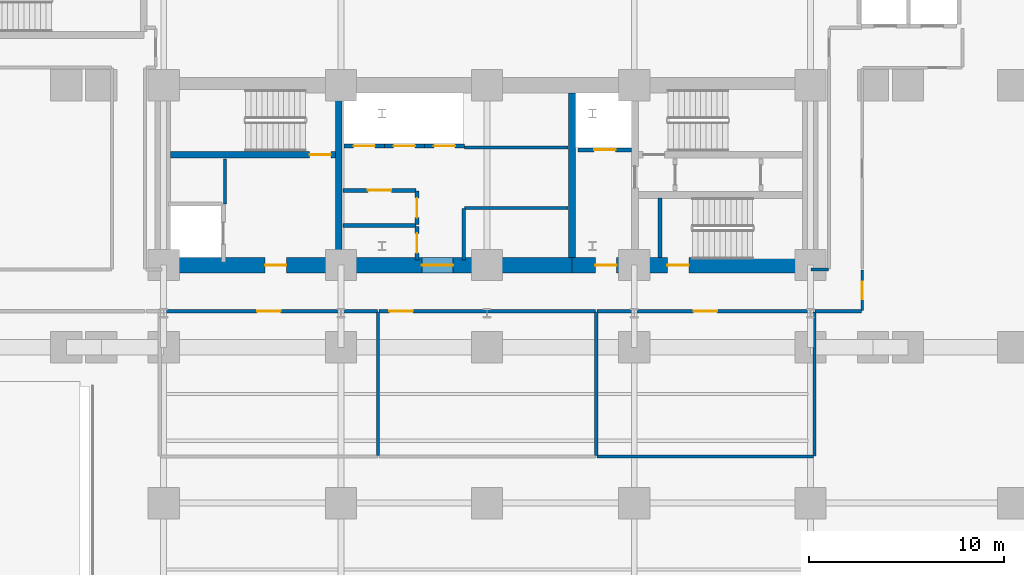
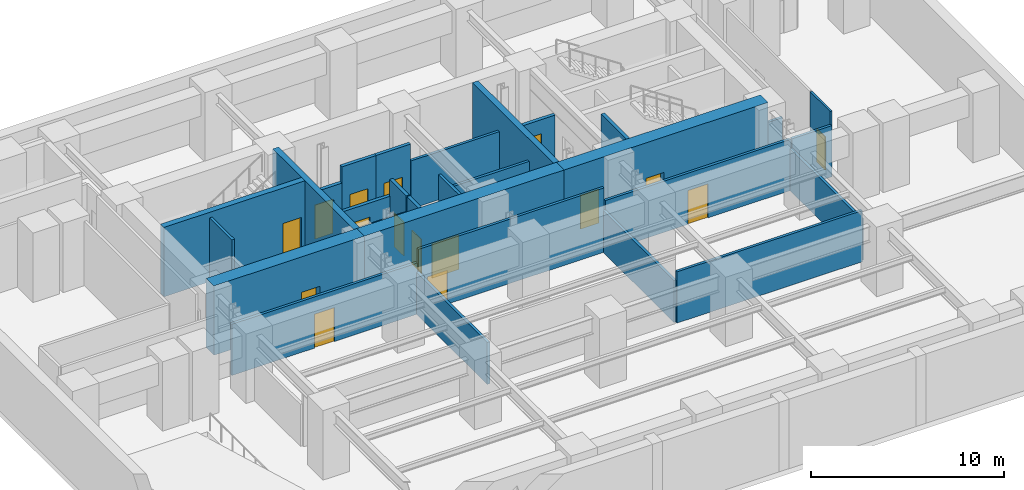
# One storey, part 3 of 9: 29 walls, 16 doors, 16 openings.
"""IFC4 building model written with IfcOpenShell, lengths in metres."""

from ifc_helpers import new_model, si_unit, direction, frame, frame_2d, origin, place, context, subcontext, project, spatial, rectangle, extrude, material, layer, layer_set, type_object, element, fill, save


model = new_model("IFC4")

# Units and contexts
model_context = context("Model", 3, precision=1e-05, world=origin(), true_north=direction((0.0, 1.0)))
body_context = subcontext(model_context, "Body", "Model", "MODEL_VIEW")
ifc_project = project(units=[si_unit("LENGTHUNIT", "METRE"), si_unit("AREAUNIT", "SQUARE_METRE"), si_unit("VOLUMEUNIT", "CUBIC_METRE"), si_unit("PLANEANGLEUNIT", "RADIAN"), si_unit("MASSUNIT", "GRAM", prefix="KILO")], contexts=[model_context])

# Site, building, storey
site_placement = place(None, origin())
site = spatial("IfcSite", under=ifc_project, at=site_placement, CompositionType="ELEMENT")
building_placement = place(site_placement, origin())
building = spatial("IfcBuilding", under=site, at=building_placement, Name="Zarnavel Station Tower", CompositionType="ELEMENT")
storey_placement = place(building_placement, frame((0.0, 0.0, -8.800048828125)))
storey = spatial("IfcBuildingStorey", under=building, at=storey_placement, Name="B02", CompositionType="ELEMENT", Elevation=-8.800048828125)

# Walls
ifc_material_1 = material(Name="Concrete C50/60", Category="concrete")
ifc_layer_1 = layer(ifc_material_1, 0.35009765625)
ifc_layer_set_1 = layer_set([ifc_layer_1], Name="CW_350")
wall_type_1 = type_object("IfcWallType", Name="CW_350", PredefinedType="SHEAR", material=ifc_layer_set_1)
for number, where, z_axis, x_axis, name in (
    (1, (21.179931640625, 28.219970703125, 0.0), (0.0, 0.0, 1.0), (0.0, 1.0, 0.0), "B02 Rear Core Shear Wall DIV-W"),
    (2, (33.14990234375, 28.219970703125, 0.0), (0.0, 0.0, 1.0), (0.0, 1.0, 0.0), "B02 Rear Core Shear Wall DIV-E"),
):
    element("IfcWall", number, at=place(storey_placement, frame(where, z_axis=z_axis, x_axis=x_axis)), inside=storey, type_object=wall_type_1, Name=name, PredefinedType="SHEAR", context=body_context, shape_type="SweptSolid", body=[
        extrude(rectangle(XDim=8.429931640625, YDim=0.35009765625, at=frame_2d((4.21484375, 0.0))), origin(), (0.0, 0.0, 1.0), 4.400146484375),
    ])

# Wall, opening, door
wall_1_placement = place(storey_placement, frame((21.0048828125, 33.47998046875, 0.0), z_axis=(0.0, 0.0, 1.0), x_axis=(-1.0, 0.0, 0.0)))
wall_1 = element("IfcWall", 3, at=wall_1_placement, inside=storey, type_object=wall_type_1, Name="B02 Rear Core Shear Wall DIV-H1", PredefinedType="SHEAR", context=body_context, shape_type="SweptSolid", body=[
    extrude(rectangle(XDim=8.454833984375, YDim=0.35009765625, at=frame_2d((4.2275390625, 0.0))), origin(), (0.0, 0.0, 1.0), 4.400146484375),
])
opening_1_placement = place(wall_1_placement, frame((0.219970703125, 0.0, 0.0)))
opening_1 = element("IfcOpeningElement", 4, at=opening_1_placement, cuts=wall_1, Name="Opening FD01", PredefinedType="OPENING", context=body_context, shape_type="SweptSolid", body=[
    extrude(rectangle(XDim=1.10009765625, YDim=2.14990234375, at=frame_2d((0.550048828125, 1.074951171875))), frame((0.0, 0.18505859375, 0.0), z_axis=(0.0, -1.0, 0.0), x_axis=(1.0, 0.0, 0.0)), (0.0, 0.0, 1.0), 0.3701171875),
])
ifc_material_2 = material(Name="Painted Galvanised Steel and Hardwood Leaf", Category="steel")
door_type_1 = type_object("IfcDoorType", Name="ID_STAIR_1100", OperationType="NOTDEFINED", PredefinedType="DOOR", material=ifc_material_2)
door_1_placement = place(opening_1_placement, origin())
door_1 = element("IfcDoor", 5, at=door_1_placement, inside=storey, type_object=door_type_1, Name="B02 Stair ST1 Lobby Fire Door", OperationType="SINGLE_SWING_LEFT", OverallHeight=2.14990234375, OverallWidth=1.10009765625, PredefinedType="DOOR", context=body_context, shape_type="SweptSolid", body=[
    extrude(rectangle(XDim=1.10009765625, YDim=2.14990234375, at=frame_2d((0.550048828125, 1.074951171875))), frame((0.0, 0.02490234375, 0.0), z_axis=(0.0, -1.0, 0.0), x_axis=(1.0, 0.0, 0.0)), (0.0, 0.0, 1.0), 0.050048828125),
])
fill(opening_1, door_1)

ifc_material_3 = material(Name="Concrete C60/75", Category="concrete")
ifc_layer_2 = layer(ifc_material_3, 0.800048828125)
ifc_layer_set_2 = layer_set([ifc_layer_2], Name="CW_800")
wall_type_2 = type_object("IfcWallType", Name="CW_800", PredefinedType="SHEAR", material=ifc_layer_set_2)
wall_2_placement = place(storey_placement, frame((21.179931640625, 27.820068359375, 0.0), z_axis=(0.0, 0.0, 1.0), x_axis=(-1.0, 0.0, 0.0)))
wall_2 = element("IfcWall", 6, at=wall_2_placement, inside=storey, type_object=wall_type_2, Name="B02 Rear Core Shear Wall S-W", PredefinedType="SHEAR", context=body_context, shape_type="SweptSolid", body=[
    extrude(rectangle(XDim=9.030029296875, YDim=0.800048828125, at=frame_2d((4.51513671875, 0.0))), origin(), (0.0, 0.0, 1.0), 4.400146484375),
])
opening_2_placement = place(wall_2_placement, frame((2.679931640625, 0.0, 0.0)))
opening_2 = element("IfcOpeningElement", 7, at=opening_2_placement, cuts=wall_2, Name="Opening FD01", PredefinedType="OPENING", context=body_context, shape_type="SweptSolid", body=[
    extrude(rectangle(XDim=1.10009765625, YDim=2.14990234375, at=frame_2d((0.550048828125, 1.074951171875))), frame((0.0, 0.409912109375, 0.0), z_axis=(0.0, -1.0, 0.0), x_axis=(1.0, 0.0, 0.0)), (0.0, 0.0, 1.0), 0.820068359375),
])
door_2_placement = place(opening_2_placement, origin())
door_2 = element("IfcDoor", 8, at=door_2_placement, inside=storey, type_object=door_type_1, Name="B02 West Firefighting Lobby Door", OperationType="SINGLE_SWING_RIGHT", OverallHeight=2.14990234375, OverallWidth=1.10009765625, PredefinedType="DOOR", context=body_context, shape_type="SweptSolid", body=[
    extrude(rectangle(XDim=1.10009765625, YDim=2.14990234375, at=frame_2d((0.550048828125, 1.074951171875))), frame((0.0, 0.02490234375, 0.0), z_axis=(0.0, -1.0, 0.0), x_axis=(1.0, 0.0, 0.0)), (0.0, 0.0, 1.0), 0.050048828125),
])
fill(opening_2, door_2)

wall_3_placement = place(storey_placement, frame((33.14990234375, 27.820068359375, 0.0), z_axis=(0.0, 0.0, 1.0), x_axis=(-1.0, 0.0, 0.0)))
wall_3 = element("IfcWall", 9, at=wall_3_placement, inside=storey, type_object=wall_type_2, Name="B02 Rear Core Shear Wall S-M", PredefinedType="SHEAR", context=body_context, shape_type="SweptSolid", body=[
    extrude(rectangle(XDim=11.969970703125, YDim=0.800048828125, at=frame_2d((5.98486328125, 0.0))), origin(), (0.0, 0.0, 1.0), 4.400146484375),
])
opening_3_placement = place(wall_3_placement, frame((6.10009765625, 0.0, 0.0)))
opening_3 = element("IfcOpeningElement", 10, at=opening_3_placement, cuts=wall_3, Name="Opening ID03", PredefinedType="OPENING", context=body_context, shape_type="SweptSolid", body=[
    extrude(rectangle(XDim=1.60009765625, YDim=2.199951171875, at=frame_2d((0.800048828125, 1.10009765625))), frame((0.0, 0.409912109375, 0.0), z_axis=(0.0, -1.0, 0.0), x_axis=(1.0, 0.0, 0.0)), (0.0, 0.0, 1.0), 0.820068359375),
])
ifc_material_4 = material(Name="Painted Galvanised Steel and Hardwood Leaf", Category="steel")
door_type_2 = type_object("IfcDoorType", Name="ID_PUBLIC_1600", OperationType="DOUBLE_DOOR_SINGLE_SWING", PredefinedType="DOOR", material=ifc_material_4)
door_3_placement = place(opening_3_placement, origin())
door_3 = element("IfcDoor", 11, at=door_3_placement, inside=storey, type_object=door_type_2, Name="B02 Passenger Lift Lobby Double Door", OperationType="SINGLE_SWING_LEFT", OverallHeight=2.199951171875, OverallWidth=1.60009765625, PredefinedType="DOOR", context=body_context, shape_type="SweptSolid", body=[
    extrude(rectangle(XDim=1.60009765625, YDim=2.199951171875, at=frame_2d((0.800048828125, 1.10009765625))), frame((0.0, 0.02490234375, 0.0), z_axis=(0.0, -1.0, 0.0), x_axis=(1.0, 0.0, 0.0)), (0.0, 0.0, 1.0), 0.050048828125),
])
fill(opening_3, door_3)

# Wall, openings, doors
wall_4_placement = place(storey_placement, frame((45.3798828125, 27.820068359375, 0.0), z_axis=(0.0, 0.0, 1.0), x_axis=(-1.0, 0.0, 0.0)))
wall_4 = element("IfcWall", 12, at=wall_4_placement, inside=storey, type_object=wall_type_2, Name="B02 Rear Core Shear Wall S-E", PredefinedType="SHEAR", context=body_context, shape_type="SweptSolid", body=[
    extrude(rectangle(XDim=12.22998046875, YDim=0.800048828125, at=frame_2d((6.114990234375, 0.0))), origin(), (0.0, 0.0, 1.0), 4.400146484375),
])
opening_4_placement = place(wall_4_placement, frame((9.929931640625, 0.0, 0.0)))
opening_4 = element("IfcOpeningElement", 13, at=opening_4_placement, cuts=wall_4, Name="Opening FD01", PredefinedType="OPENING", context=body_context, shape_type="SweptSolid", body=[
    extrude(rectangle(XDim=1.10009765625, YDim=2.14990234375, at=frame_2d((0.550048828125, 1.074951171875))), frame((0.0, 0.409912109375, 0.0), z_axis=(0.0, -1.0, 0.0), x_axis=(1.0, 0.0, 0.0)), (0.0, 0.0, 1.0), 0.820068359375),
])
opening_5_placement = place(wall_4_placement, frame((6.22998046875, 0.0, 0.0)))
opening_5 = element("IfcOpeningElement", 14, at=opening_5_placement, cuts=wall_4, Name="Opening FD01", PredefinedType="OPENING", context=body_context, shape_type="SweptSolid", body=[
    extrude(rectangle(XDim=1.10009765625, YDim=2.14990234375, at=frame_2d((0.550048828125, 1.074951171875))), frame((0.0, 0.409912109375, 0.0), z_axis=(0.0, -1.0, 0.0), x_axis=(1.0, 0.0, 0.0)), (0.0, 0.0, 1.0), 0.820068359375),
])
door_4_placement = place(opening_4_placement, origin())
door_4 = element("IfcDoor", 15, at=door_4_placement, inside=storey, type_object=door_type_1, Name="B02 East Firefighting Lobby Door", OperationType="SINGLE_SWING_LEFT", OverallHeight=2.14990234375, OverallWidth=1.10009765625, PredefinedType="DOOR", context=body_context, shape_type="SweptSolid", body=[
    extrude(rectangle(XDim=1.10009765625, YDim=2.14990234375, at=frame_2d((0.550048828125, 1.074951171875))), frame((0.0, 0.02490234375, 0.0), z_axis=(0.0, -1.0, 0.0), x_axis=(1.0, 0.0, 0.0)), (0.0, 0.0, 1.0), 0.050048828125),
])
fill(opening_4, door_4)
door_5_placement = place(opening_5_placement, origin())
door_5 = element("IfcDoor", 16, at=door_5_placement, inside=storey, type_object=door_type_1, Name="B02 Stair ST3 Corridor Fire Door", OperationType="SINGLE_SWING_RIGHT", OverallHeight=2.14990234375, OverallWidth=1.10009765625, PredefinedType="DOOR", context=body_context, shape_type="SweptSolid", body=[
    extrude(rectangle(XDim=1.10009765625, YDim=2.14990234375, at=frame_2d((0.550048828125, 1.074951171875))), frame((0.0, 0.02490234375, 0.0), z_axis=(0.0, -1.0, 0.0), x_axis=(1.0, 0.0, 0.0)), (0.0, 0.0, 1.0), 0.050048828125),
])
fill(opening_5, door_5)

# Wall, opening, door
ifc_material_5 = material(Name="Gypsum Twin-Stud Acoustic Fire Partition", Category="concrete")
ifc_layer_3 = layer(ifc_material_5, 0.159912109375)
ifc_layer_set_3 = layer_set([ifc_layer_3], Name="PT_DEMISE_160")
wall_type_3 = type_object("IfcWallType", Name="PT_DEMISE_160", PredefinedType="PARTITIONING", material=ifc_layer_set_3)
wall_5_placement = place(storey_placement, frame((12.0400390625, 25.449951171875, 0.0), z_axis=(0.0, 0.0, 1.0), x_axis=(1.0, 0.0, 0.0)))
wall_5 = element("IfcWall", 17, at=wall_5_placement, inside=storey, type_object=wall_type_3, Name="B02 Partition COR-B-GEN", PredefinedType="PARTITIONING", context=body_context, shape_type="SweptSolid", body=[
    extrude(rectangle(XDim=11.119873046875, YDim=0.159912109375, at=frame_2d((5.56005859375, 0.0))), origin(), (0.0, 0.0, 1.0), 3.24609375),
])
opening_6_placement = place(wall_5_placement, frame((4.9599609375, 0.0, 0.0)))
opening_6 = element("IfcOpeningElement", 18, at=opening_6_placement, cuts=wall_5, Name="Opening FD03", PredefinedType="OPENING", context=body_context, shape_type="SweptSolid", body=[
    extrude(rectangle(XDim=1.199951171875, YDim=2.14990234375, at=frame_2d((0.60009765625, 1.074951171875))), frame((0.0, 0.08984375, 0.0), z_axis=(0.0, -1.0, 0.0), x_axis=(1.0, 0.0, 0.0)), (0.0, 0.0, 1.0), 0.179931640625),
])
ifc_material_6 = material(Name="Painted Galvanised Steel and Hardwood Leaf", Category="steel")
door_type_3 = type_object("IfcDoorType", Name="ID_PLANT_1200", OperationType="NOTDEFINED", PredefinedType="DOOR", material=ifc_material_6)
door_6_placement = place(opening_6_placement, origin())
door_6 = element("IfcDoor", 19, at=door_6_placement, inside=storey, type_object=door_type_3, Name="B02 Door COR-B-GEN", OperationType="SINGLE_SWING_RIGHT", OverallHeight=2.14990234375, OverallWidth=1.199951171875, PredefinedType="DOOR", context=body_context, shape_type="SweptSolid", body=[
    extrude(rectangle(XDim=1.199951171875, YDim=2.14990234375, at=frame_2d((0.60009765625, 1.074951171875))), frame((0.0, 0.02490234375, 0.0), z_axis=(0.0, -1.0, 0.0), x_axis=(1.0, 0.0, 0.0)), (0.0, 0.0, 1.0), 0.050048828125),
])
fill(opening_6, door_6)

wall_6_placement = place(storey_placement, frame((23.239990234375, 25.449951171875, 0.0), z_axis=(0.0, 0.0, 1.0), x_axis=(1.0, 0.0, 0.0)))
wall_6 = element("IfcWall", 20, at=wall_6_placement, inside=storey, type_object=wall_type_3, Name="B02 Partition COR-B-TRF", PredefinedType="PARTITIONING", context=body_context, shape_type="SweptSolid", body=[
    extrude(rectangle(XDim=11.1201171875, YDim=0.159912109375, at=frame_2d((5.56005859375, 0.0))), origin(), (0.0, 0.0, 1.0), 4.080078125),
])
opening_7_placement = place(wall_6_placement, frame((0.541748046875, 0.0, 0.0)))
opening_7 = element("IfcOpeningElement", 21, at=opening_7_placement, cuts=wall_6, Name="Opening FD03", PredefinedType="OPENING", context=body_context, shape_type="SweptSolid", body=[
    extrude(rectangle(XDim=1.199951171875, YDim=2.14990234375, at=frame_2d((0.60009765625, 1.074951171875))), frame((0.0, 0.08984375, 0.0), z_axis=(0.0, -1.0, 0.0), x_axis=(1.0, 0.0, 0.0)), (0.0, 0.0, 1.0), 0.179931640625),
])
door_7_placement = place(opening_7_placement, origin())
door_7 = element("IfcDoor", 22, at=door_7_placement, inside=storey, type_object=door_type_3, Name="B02 Door COR-B-TRF", OperationType="SINGLE_SWING_LEFT", OverallHeight=2.14990234375, OverallWidth=1.199951171875, PredefinedType="DOOR", context=body_context, shape_type="SweptSolid", body=[
    extrude(rectangle(XDim=1.199951171875, YDim=2.14990234375, at=frame_2d((0.60009765625, 1.074951171875))), frame((0.0, 0.02490234375, 0.0), z_axis=(0.0, -1.0, 0.0), x_axis=(1.0, 0.0, 0.0)), (0.0, 0.0, 1.0), 0.050048828125),
])
fill(opening_7, door_7)

wall_7_placement = place(storey_placement, frame((34.43994140625, 25.449951171875, 0.0), z_axis=(0.0, 0.0, 1.0), x_axis=(1.0, 0.0, 0.0)))
wall_7 = element("IfcWall", 23, at=wall_7_placement, inside=storey, type_object=wall_type_3, Name="B02 Partition COR-B-SWG", PredefinedType="PARTITIONING", context=body_context, shape_type="SweptSolid", body=[
    extrude(rectangle(XDim=11.1201171875, YDim=0.159912109375, at=frame_2d((5.56005859375, 0.0))), origin(), (0.0, 0.0, 1.0), 3.24609375),
])
opening_8_placement = place(wall_7_placement, frame((4.9599609375, 0.0, 0.0)))
opening_8 = element("IfcOpeningElement", 24, at=opening_8_placement, cuts=wall_7, Name="Opening FD03", PredefinedType="OPENING", context=body_context, shape_type="SweptSolid", body=[
    extrude(rectangle(XDim=1.199951171875, YDim=2.14990234375, at=frame_2d((0.60009765625, 1.074951171875))), frame((0.0, 0.08984375, 0.0), z_axis=(0.0, -1.0, 0.0), x_axis=(1.0, 0.0, 0.0)), (0.0, 0.0, 1.0), 0.179931640625),
])
door_8_placement = place(opening_8_placement, origin())
door_8 = element("IfcDoor", 25, at=door_8_placement, inside=storey, type_object=door_type_3, Name="B02 Door COR-B-SWG", OperationType="SINGLE_SWING_RIGHT", OverallHeight=2.14990234375, OverallWidth=1.199951171875, PredefinedType="DOOR", context=body_context, shape_type="SweptSolid", body=[
    extrude(rectangle(XDim=1.199951171875, YDim=2.14990234375, at=frame_2d((0.60009765625, 1.074951171875))), frame((0.0, 0.02490234375, 0.0), z_axis=(0.0, -1.0, 0.0), x_axis=(1.0, 0.0, 0.0)), (0.0, 0.0, 1.0), 0.050048828125),
])
fill(opening_8, door_8)

# Walls
wall_8_placement = place(storey_placement, frame((34.43994140625, 18.0, 0.0), z_axis=(0.0, 0.0, 1.0), x_axis=(1.0, 0.0, 0.0)))
element("IfcWall", 26, at=wall_8_placement, inside=storey, type_object=wall_type_3, Name="B02 Partition CPK-S-SWG", PredefinedType="PARTITIONING", context=body_context, shape_type="SweptSolid", body=[
    extrude(rectangle(XDim=11.1201171875, YDim=0.159912109375, at=frame_2d((5.56005859375, 0.0))), origin(), (0.0, 0.0, 1.0), 3.24609375),
])
for number, where, z_axis, x_axis, name in (
    (27, (23.199951171875, 18.0400390625, 0.0), (0.0, 0.0, 1.0), (0.0, 1.0, 0.0), "B02 Partition GEN-TRF"),
    (28, (34.39990234375, 18.0400390625, 0.0), (0.0, 0.0, 1.0), (0.0, 1.0, 0.0), "B02 Partition TRF-SWG"),
):
    element("IfcWall", number, at=place(storey_placement, frame(where, z_axis=z_axis, x_axis=x_axis)), inside=storey, type_object=wall_type_3, Name=name, PredefinedType="PARTITIONING", context=body_context, shape_type="SweptSolid", body=[
        extrude(rectangle(XDim=7.369873046875, YDim=0.159912109375, at=frame_2d((3.68505859375, 0.0))), origin(), (0.0, 0.0, 1.0), 2.66015625),
    ])
wall_9_placement = place(storey_placement, frame((15.35009765625, 30.9599609375, 0.0), z_axis=(0.0, 0.0, 1.0), x_axis=(0.0, 1.0, 0.0)))
element("IfcWall", 29, at=wall_9_placement, inside=storey, type_object=wall_type_3, Name="B02 Enclosure Wall FFL1", PredefinedType="PARTITIONING", context=body_context, shape_type="SweptSolid", body=[
    extrude(rectangle(XDim=2.31005859375, YDim=0.159912109375, at=frame_2d((1.155029296875, 0.0))), origin(), (0.0, 0.0, 1.0), 4.080078125),
])
for number, where, z_axis, x_axis, name in (
    (30, (27.6298828125, 30.75, 0.0), (0.0, 0.0, 1.0), (1.0, 0.0, 0.0), "B02 Enclosure Wall LLOBM"),
    (31, (27.6298828125, 33.85009765625, 0.0), (0.0, 0.0, 1.0), (1.0, 0.0, 0.0), "B02 Enclosure Wall LLOBM"),
):
    element("IfcWall", number, at=place(storey_placement, frame(where, z_axis=z_axis, x_axis=x_axis)), inside=storey, type_object=wall_type_3, Name=name, PredefinedType="PARTITIONING", context=body_context, shape_type="SweptSolid", body=[
        extrude(rectangle(XDim=5.31005859375, YDim=0.159912109375, at=frame_2d((2.655029296875, 0.0))), origin(), (0.0, 0.0, 1.0), 3.052001953125),
    ])
wall_10_placement = place(storey_placement, frame((27.60009765625, 28.080078125, 0.0), z_axis=(0.0, 0.0, 1.0), x_axis=(0.0, 1.0, 0.0)))
element("IfcWall", 32, at=wall_10_placement, inside=storey, type_object=wall_type_3, Name="B02 Enclosure Wall LLOBS", PredefinedType="PARTITIONING", context=body_context, shape_type="SweptSolid", body=[
    extrude(rectangle(XDim=2.639892578125, YDim=0.159912109375, at=frame_2d((1.31982421875, 0.0))), origin(), (0.0, 0.0, 1.0), 4.080078125),
])
wall_11_placement = place(storey_placement, frame((45.6298828125, 25.449951171875, 0.0), z_axis=(0.0, 0.0, 1.0), x_axis=(1.0, 0.0, 0.0)))
element("IfcWall", 33, at=wall_11_placement, inside=storey, type_object=wall_type_3, Name="B02 Enclosure Wall COR-B", PredefinedType="PARTITIONING", context=body_context, shape_type="SweptSolid", body=[
    extrude(rectangle(XDim=2.39013671875, YDim=0.159912109375, at=frame_2d((1.195068359375, 0.0))), origin(), (0.0, 0.0, 1.0), 3.24609375),
])
wall_12_placement = place(storey_placement, frame((45.409912109375, 27.60009765625, 0.0), z_axis=(0.0, 0.0, 1.0), x_axis=(1.0, 0.0, 0.0)))
element("IfcWall", 34, at=wall_12_placement, inside=storey, type_object=wall_type_3, Name="B02 Enclosure Wall COR-B", PredefinedType="PARTITIONING", context=body_context, shape_type="SweptSolid", body=[
    extrude(rectangle(XDim=0.91015625, YDim=0.159912109375, at=frame_2d((0.455078125, 0.0))), origin(), (0.0, 0.0, 1.0), 3.052001953125),
])
wall_13_placement = place(storey_placement, frame((45.60009765625, 18.030029296875, 0.0), z_axis=(0.0, 0.0, 1.0), x_axis=(0.0, 1.0, 0.0)))
element("IfcWall", 35, at=wall_13_placement, inside=storey, type_object=wall_type_3, Name="B02 Enclosure Wall SWG", PredefinedType="PARTITIONING", context=body_context, shape_type="SweptSolid", body=[
    extrude(rectangle(XDim=7.389892578125, YDim=0.159912109375, at=frame_2d((3.69482421875, 0.0))), origin(), (0.0, 0.0, 1.0), 2.66015625),
])

# Wall, opening, door
ifc_material_7 = material(Name="Gypsum Metal-Stud Interior Partition", Category="concrete")
ifc_layer_4 = layer(ifc_material_7, 0.1201171875)
ifc_layer_set_4 = layer_set([ifc_layer_4], Name="PT_ROOM_120")
wall_type_4 = type_object("IfcWallType", Name="PT_ROOM_120", PredefinedType="PARTITIONING", material=ifc_layer_set_4)
wall_14_placement = place(storey_placement, frame((48.050048828125, 25.489990234375, 0.0), z_axis=(0.0, 0.0, 1.0), x_axis=(0.0, 1.0, 0.0)))
wall_14 = element("IfcWall", 36, at=wall_14_placement, inside=storey, type_object=wall_type_4, Name="B02 Partition COR-B-CPK-E", PredefinedType="PARTITIONING", context=body_context, shape_type="SweptSolid", body=[
    extrude(rectangle(XDim=2.070068359375, YDim=0.1201171875, at=frame_2d((1.03515625, 0.0))), origin(), (0.0, 0.0, 1.0), 4.080078125),
])
opening_9_placement = place(wall_14_placement, frame((0.5849609375, 0.0, 0.0)))
opening_9 = element("IfcOpeningElement", 37, at=opening_9_placement, cuts=wall_14, Name="Opening ID01", PredefinedType="OPENING", context=body_context, shape_type="SweptSolid", body=[
    extrude(rectangle(XDim=0.89990234375, YDim=2.10009765625, at=frame_2d((0.449951171875, 1.050048828125))), frame((0.0, 0.070068359375, 0.0), z_axis=(0.0, -1.0, 0.0), x_axis=(1.0, 0.0, 0.0)), (0.0, 0.0, 1.0), 0.14013671875),
])
ifc_material_8 = material(Name="Painted Galvanised Steel and Hardwood Leaf", Category="steel")
door_type_4 = type_object("IfcDoorType", Name="ID_ROOM_900", OperationType="NOTDEFINED", PredefinedType="DOOR", material=ifc_material_8)
door_9_placement = place(opening_9_placement, origin())
door_9 = element("IfcDoor", 38, at=door_9_placement, inside=storey, type_object=door_type_4, Name="B02 Door COR-B-CPK-E", OperationType="SINGLE_SWING_LEFT", OverallHeight=2.10009765625, OverallWidth=0.89990234375, PredefinedType="DOOR", context=body_context, shape_type="SweptSolid", body=[
    extrude(rectangle(XDim=0.89990234375, YDim=2.10009765625, at=frame_2d((0.449951171875, 1.050048828125))), frame((0.0, 0.02490234375, 0.0), z_axis=(0.0, -1.0, 0.0), x_axis=(1.0, 0.0, 0.0)), (0.0, 0.0, 1.0), 0.050048828125),
])
fill(opening_9, door_9)

ifc_material_9 = material(Name="Precast concrete C45/55 (Fire Shaft Blockwork)", Category="masonry")
ifc_layer_5 = layer(ifc_material_9, 0.199951171875)
ifc_layer_set_5 = layer_set([ifc_layer_5], Name="PT_SHAFT_200")
wall_type_5 = type_object("IfcWallType", Name="PT_SHAFT_200", PredefinedType="PARTITIONING", material=ifc_layer_set_5)
wall_15_placement = place(storey_placement, frame((33.47509765625, 33.72998046875, 0.0), z_axis=(0.0, 0.0, 1.0), x_axis=(1.0, 0.0, 0.0)))
wall_15 = element("IfcWall", 39, at=wall_15_placement, inside=storey, type_object=wall_type_5, Name="B02 Lift FFL-02 Shaft Front Wall", PredefinedType="PARTITIONING", context=body_context, shape_type="SweptSolid", body=[
    extrude(rectangle(XDim=2.724853515625, YDim=0.199951171875, at=frame_2d((1.3623046875, 0.0))), origin(), (0.0, 0.0, 1.0), 3.052001953125),
])
opening_10_placement = place(wall_15_placement, frame((0.8125, 0.0, 0.0)))
opening_10 = element("IfcOpeningElement", 40, at=opening_10_placement, cuts=wall_15, Name="Opening LD01", PredefinedType="OPENING", context=body_context, shape_type="SweptSolid", body=[
    extrude(rectangle(XDim=1.10009765625, YDim=2.14990234375, at=frame_2d((0.550048828125, 1.074951171875))), frame((0.0, 0.10986328125, 0.0), z_axis=(0.0, -1.0, 0.0), x_axis=(1.0, 0.0, 0.0)), (0.0, 0.0, 1.0), 0.219970703125),
])
ifc_material_10 = material(Name="Painted Galvanised Steel and Hardwood Leaf", Category="steel")
door_type_5 = type_object("IfcDoorType", Name="LD_FF_1100", OperationType="DOUBLE_DOOR_SLIDING", PredefinedType="DOOR", material=ifc_material_10)
door_10_placement = place(opening_10_placement, origin())
door_10 = element("IfcDoor", 41, at=door_10_placement, inside=storey, type_object=door_type_5, Name="B02 Lift FFL-02 Sliding Landing Door", OperationType="DOUBLE_DOOR_SLIDING", OverallHeight=2.14990234375, OverallWidth=1.10009765625, PredefinedType="DOOR", context=body_context, shape_type="SweptSolid", body=[
    extrude(rectangle(XDim=1.10009765625, YDim=2.14990234375, at=frame_2d((0.550048828125, 1.074951171875))), frame((0.0, 0.02490234375, 0.0), z_axis=(0.0, -1.0, 0.0), x_axis=(1.0, 0.0, 0.0)), (0.0, 0.0, 1.0), 0.050048828125),
])
fill(opening_10, door_10)

wall_16_placement = place(storey_placement, frame((21.4599609375, 33.929931640625, 0.0), z_axis=(0.0, 0.0, 1.0), x_axis=(1.0, 0.0, 0.0)))
wall_16 = element("IfcWall", 42, at=wall_16_placement, inside=storey, type_object=wall_type_5, Name="B02 Lift PL-L1 Shaft Front Wall", PredefinedType="PARTITIONING", context=body_context, shape_type="SweptSolid", body=[
    extrude(rectangle(XDim=2.06494140625, YDim=0.199951171875, at=frame_2d((1.032470703125, 0.0))), origin(), (0.0, 0.0, 1.0), 3.052001953125),
])
opening_11_placement = place(wall_16_placement, frame((0.482421875, 0.0, 0.0)))
opening_11 = element("IfcOpeningElement", 43, at=opening_11_placement, cuts=wall_16, Name="Opening LD02", PredefinedType="OPENING", context=body_context, shape_type="SweptSolid", body=[
    extrude(rectangle(XDim=1.10009765625, YDim=2.14990234375, at=frame_2d((0.550048828125, 1.074951171875))), frame((0.0, 0.10986328125, 0.0), z_axis=(0.0, -1.0, 0.0), x_axis=(1.0, 0.0, 0.0)), (0.0, 0.0, 1.0), 0.219970703125),
])
ifc_material_11 = material(Name="Painted Galvanised Steel and Hardwood Leaf", Category="steel")
door_type_6 = type_object("IfcDoorType", Name="LD_PAX_1100", OperationType="DOUBLE_DOOR_SLIDING", PredefinedType="DOOR", material=ifc_material_11)
door_11_placement = place(opening_11_placement, origin())
door_11 = element("IfcDoor", 44, at=door_11_placement, inside=storey, type_object=door_type_6, Name="B02 Lift PL-L1 Sliding Landing Door", OperationType="DOUBLE_DOOR_SLIDING", OverallHeight=2.14990234375, OverallWidth=1.10009765625, PredefinedType="DOOR", context=body_context, shape_type="SweptSolid", body=[
    extrude(rectangle(XDim=1.10009765625, YDim=2.14990234375, at=frame_2d((0.550048828125, 1.074951171875))), frame((0.0, 0.02490234375, 0.0), z_axis=(0.0, -1.0, 0.0), x_axis=(1.0, 0.0, 0.0)), (0.0, 0.0, 1.0), 0.050048828125),
])
fill(opening_11, door_11)

wall_17_placement = place(storey_placement, frame((23.52490234375, 33.929931640625, 0.0), z_axis=(0.0, 0.0, 1.0), x_axis=(1.0, 0.0, 0.0)))
wall_17 = element("IfcWall", 45, at=wall_17_placement, inside=storey, type_object=wall_type_5, Name="B02 Lift PL-L2 Shaft Front Wall", PredefinedType="PARTITIONING", context=body_context, shape_type="SweptSolid", body=[
    extrude(rectangle(XDim=2.050048828125, YDim=0.199951171875, at=frame_2d((1.02490234375, 0.0))), origin(), (0.0, 0.0, 1.0), 4.080078125),
])
opening_12_placement = place(wall_17_placement, frame((0.47509765625, 0.0, 0.0)))
opening_12 = element("IfcOpeningElement", 46, at=opening_12_placement, cuts=wall_17, Name="Opening LD02", PredefinedType="OPENING", context=body_context, shape_type="SweptSolid", body=[
    extrude(rectangle(XDim=1.10009765625, YDim=2.14990234375, at=frame_2d((0.550048828125, 1.074951171875))), frame((0.0, 0.10986328125, 0.0), z_axis=(0.0, -1.0, 0.0), x_axis=(1.0, 0.0, 0.0)), (0.0, 0.0, 1.0), 0.219970703125),
])
door_12_placement = place(opening_12_placement, origin())
door_12 = element("IfcDoor", 47, at=door_12_placement, inside=storey, type_object=door_type_6, Name="B02 Lift PL-L2 Sliding Landing Door", OperationType="DOUBLE_DOOR_SLIDING", OverallHeight=2.14990234375, OverallWidth=1.10009765625, PredefinedType="DOOR", context=body_context, shape_type="SweptSolid", body=[
    extrude(rectangle(XDim=1.10009765625, YDim=2.14990234375, at=frame_2d((0.550048828125, 1.074951171875))), frame((0.0, 0.02490234375, 0.0), z_axis=(0.0, -1.0, 0.0), x_axis=(1.0, 0.0, 0.0)), (0.0, 0.0, 1.0), 0.050048828125),
])
fill(opening_12, door_12)

wall_18_placement = place(storey_placement, frame((25.574951171875, 33.929931640625, 0.0), z_axis=(0.0, 0.0, 1.0), x_axis=(1.0, 0.0, 0.0)))
wall_18 = element("IfcWall", 48, at=wall_18_placement, inside=storey, type_object=wall_type_5, Name="B02 Lift PL-L3 Shaft Front Wall", PredefinedType="PARTITIONING", context=body_context, shape_type="SweptSolid", body=[
    extrude(rectangle(XDim=2.074951171875, YDim=0.199951171875, at=frame_2d((1.03759765625, 0.0))), origin(), (0.0, 0.0, 1.0), 4.080078125),
])
opening_13_placement = place(wall_18_placement, frame((0.487548828125, 0.0, 0.0)))
opening_13 = element("IfcOpeningElement", 49, at=opening_13_placement, cuts=wall_18, Name="Opening LD02", PredefinedType="OPENING", context=body_context, shape_type="SweptSolid", body=[
    extrude(rectangle(XDim=1.10009765625, YDim=2.14990234375, at=frame_2d((0.550048828125, 1.074951171875))), frame((0.0, 0.10986328125, 0.0), z_axis=(0.0, -1.0, 0.0), x_axis=(1.0, 0.0, 0.0)), (0.0, 0.0, 1.0), 0.219970703125),
])
door_13_placement = place(opening_13_placement, origin())
door_13 = element("IfcDoor", 50, at=door_13_placement, inside=storey, type_object=door_type_6, Name="B02 Lift PL-L3 Sliding Landing Door", OperationType="DOUBLE_DOOR_SLIDING", OverallHeight=2.14990234375, OverallWidth=1.10009765625, PredefinedType="DOOR", context=body_context, shape_type="SweptSolid", body=[
    extrude(rectangle(XDim=1.10009765625, YDim=2.14990234375, at=frame_2d((0.550048828125, 1.074951171875))), frame((0.0, 0.02490234375, 0.0), z_axis=(0.0, -1.0, 0.0), x_axis=(1.0, 0.0, 0.0)), (0.0, 0.0, 1.0), 0.050048828125),
])
fill(opening_13, door_13)

# Wall
wall_19_placement = place(storey_placement, frame((37.679931640625, 28.219970703125, 0.0), z_axis=(0.0, 0.0, 1.0), x_axis=(0.0, 1.0, 0.0)))
element("IfcWall", 51, at=wall_19_placement, inside=storey, type_object=wall_type_5, Name="B02 Stair ST3 West Shaft Wall", PredefinedType="PARTITIONING", context=body_context, shape_type="SweptSolid", body=[
    extrude(rectangle(XDim=3.030029296875, YDim=0.199951171875, at=frame_2d((1.51513671875, 0.0))), origin(), (0.0, 0.0, 1.0), 4.080078125),
])

# Wall, opening, door
wall_20_placement = place(storey_placement, frame((21.39990234375, 31.64990234375, 0.0), z_axis=(0.0, 0.0, 1.0), x_axis=(1.0, 0.0, 0.0)))
wall_20 = element("IfcWall", 52, at=wall_20_placement, inside=storey, type_object=wall_type_5, Name="B02 Partition LLOB-CS2", PredefinedType="PARTITIONING", context=body_context, shape_type="SweptSolid", body=[
    extrude(rectangle(XDim=3.760009765625, YDim=0.199951171875, at=frame_2d((1.8798828125, 0.0))), origin(), (0.0, 0.0, 1.0), 3.052001953125),
])
opening_14_placement = place(wall_20_placement, frame((1.280029296875, 0.0, 0.0)))
opening_14 = element("IfcOpeningElement", 53, at=opening_14_placement, cuts=wall_20, Name="Opening FD03", PredefinedType="OPENING", context=body_context, shape_type="SweptSolid", body=[
    extrude(rectangle(XDim=1.199951171875, YDim=2.14990234375, at=frame_2d((0.60009765625, 1.074951171875))), frame((0.0, 0.10986328125, 0.0), z_axis=(0.0, -1.0, 0.0), x_axis=(1.0, 0.0, 0.0)), (0.0, 0.0, 1.0), 0.219970703125),
])
door_14_placement = place(opening_14_placement, origin())
door_14 = element("IfcDoor", 54, at=door_14_placement, inside=storey, type_object=door_type_3, Name="B02 Door LLOB-CS2", OperationType="SINGLE_SWING_RIGHT", OverallHeight=2.14990234375, OverallWidth=1.199951171875, PredefinedType="DOOR", context=body_context, shape_type="SweptSolid", body=[
    extrude(rectangle(XDim=1.199951171875, YDim=2.14990234375, at=frame_2d((0.60009765625, 1.074951171875))), frame((0.0, 0.02490234375, 0.0), z_axis=(0.0, -1.0, 0.0), x_axis=(1.0, 0.0, 0.0)), (0.0, 0.0, 1.0), 0.050048828125),
])
fill(opening_14, door_14)

wall_21_placement = place(storey_placement, frame((25.199951171875, 28.090087890625, 0.0), z_axis=(0.0, 0.0, 1.0), x_axis=(0.0, 1.0, 0.0)))
wall_21 = element("IfcWall", 55, at=wall_21_placement, inside=storey, type_object=wall_type_5, Name="B02 Partition LLOBS-CS1", PredefinedType="PARTITIONING", context=body_context, shape_type="SweptSolid", body=[
    extrude(rectangle(XDim=1.719970703125, YDim=0.199951171875, at=frame_2d((0.85986328125, 0.0))), origin(), (0.0, 0.0, 1.0), 4.080078125),
])
opening_15_placement = place(wall_21_placement, frame((0.360107421875, 0.0, 0.0)))
opening_15 = element("IfcOpeningElement", 56, at=opening_15_placement, cuts=wall_21, Name="Opening FD02", PredefinedType="OPENING", context=body_context, shape_type="SweptSolid", body=[
    extrude(rectangle(XDim=1.0, YDim=2.14990234375, at=frame_2d((0.5, 1.074951171875))), frame((0.0, 0.10986328125, 0.0), z_axis=(0.0, -1.0, 0.0), x_axis=(1.0, 0.0, 0.0)), (0.0, 0.0, 1.0), 0.219970703125),
])
ifc_material_12 = material(Name="Painted Galvanised Steel and Hardwood Leaf", Category="steel")
door_type_7 = type_object("IfcDoorType", Name="ID_ENTRY_1000", OperationType="NOTDEFINED", PredefinedType="DOOR", material=ifc_material_12)
door_15_placement = place(opening_15_placement, origin())
door_15 = element("IfcDoor", 57, at=door_15_placement, inside=storey, type_object=door_type_7, Name="B02 Door LLOBS-CS1", OperationType="SINGLE_SWING_LEFT", OverallHeight=2.14990234375, OverallWidth=1.0, PredefinedType="DOOR", context=body_context, shape_type="SweptSolid", body=[
    extrude(rectangle(XDim=1.0, YDim=2.14990234375, at=frame_2d((0.5, 1.074951171875))), frame((0.0, 0.02490234375, 0.0), z_axis=(0.0, -1.0, 0.0), x_axis=(1.0, 0.0, 0.0)), (0.0, 0.0, 1.0), 0.050048828125),
])
fill(opening_15, door_15)

wall_22_placement = place(storey_placement, frame((25.199951171875, 29.889892578125, 0.0), z_axis=(0.0, 0.0, 1.0), x_axis=(0.0, 1.0, 0.0)))
wall_22 = element("IfcWall", 58, at=wall_22_placement, inside=storey, type_object=wall_type_5, Name="B02 Partition LLOBS-CS2", PredefinedType="PARTITIONING", context=body_context, shape_type="SweptSolid", body=[
    extrude(rectangle(XDim=1.72021484375, YDim=0.199951171875, at=frame_2d((0.860107421875, 0.0))), origin(), (0.0, 0.0, 1.0), 4.080078125),
])
opening_16_placement = place(wall_22_placement, frame((0.360107421875, 0.0, 0.0)))
opening_16 = element("IfcOpeningElement", 59, at=opening_16_placement, cuts=wall_22, Name="Opening FD02", PredefinedType="OPENING", context=body_context, shape_type="SweptSolid", body=[
    extrude(rectangle(XDim=1.0, YDim=2.14990234375, at=frame_2d((0.5, 1.074951171875))), frame((0.0, 0.10986328125, 0.0), z_axis=(0.0, -1.0, 0.0), x_axis=(1.0, 0.0, 0.0)), (0.0, 0.0, 1.0), 0.219970703125),
])
door_16_placement = place(opening_16_placement, origin())
door_16 = element("IfcDoor", 60, at=door_16_placement, inside=storey, type_object=door_type_7, Name="B02 Door LLOBS-CS2", OperationType="SINGLE_SWING_RIGHT", OverallHeight=2.14990234375, OverallWidth=1.0, PredefinedType="DOOR", context=body_context, shape_type="SweptSolid", body=[
    extrude(rectangle(XDim=1.0, YDim=2.14990234375, at=frame_2d((0.5, 1.074951171875))), frame((0.0, 0.02490234375, 0.0), z_axis=(0.0, -1.0, 0.0), x_axis=(1.0, 0.0, 0.0)), (0.0, 0.0, 1.0), 0.050048828125),
])
fill(opening_16, door_16)

# Wall
wall_23_placement = place(storey_placement, frame((21.39990234375, 29.85009765625, 0.0), z_axis=(0.0, 0.0, 1.0), x_axis=(1.0, 0.0, 0.0)))
element("IfcWall", 61, at=wall_23_placement, inside=storey, type_object=wall_type_5, Name="B02 Partition CS1-CS2", PredefinedType="PARTITIONING", context=body_context, shape_type="SweptSolid", body=[
    extrude(rectangle(XDim=3.760009765625, YDim=0.199951171875, at=frame_2d((1.8798828125, 0.0))), origin(), (0.0, 0.0, 1.0), 3.052001953125),
])

save(model, "model.ifc")
